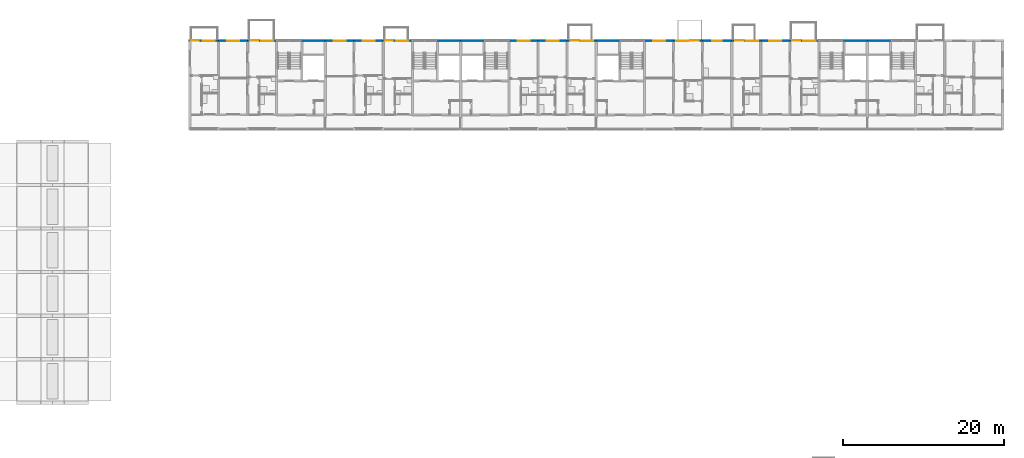
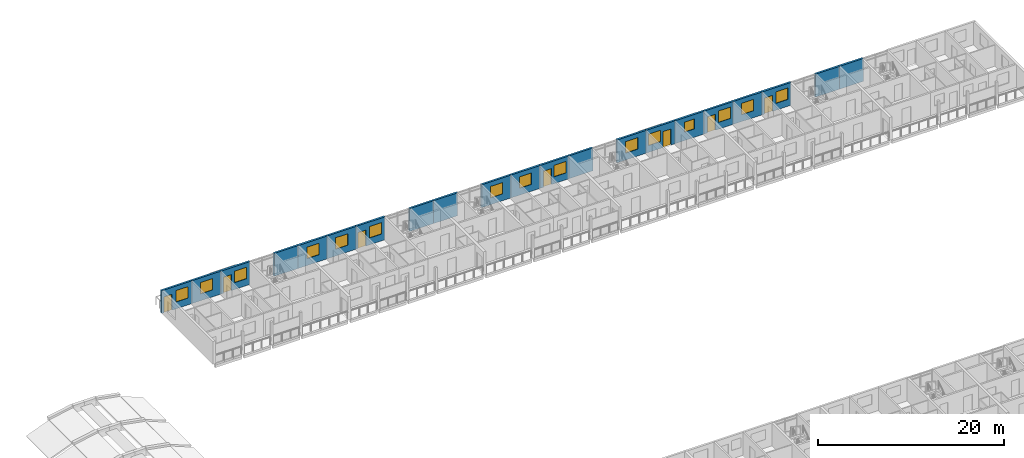
# One storey, part 59 of 93: 21 walls, 15 windows, 7 doors, 22 openings.
"""IFC4 building model written with IfcOpenShell, lengths in metres."""

from ifc_helpers import new_model, si_unit, direction, frame, frame_2d, origin, place, context, subcontext, project, spatial, rectangle, extrude, material, layer, layer_set, type_object, element, fill, save


model = new_model("IFC4")

# Units and contexts
model_context = context("Model", 3, precision=1e-05, world=origin(), true_north=direction((0.0, 1.0)))
body_context = subcontext(model_context, "Body", "Model", "MODEL_VIEW")
ifc_project = project(units=[si_unit("LENGTHUNIT", "METRE"), si_unit("AREAUNIT", "SQUARE_METRE"), si_unit("VOLUMEUNIT", "CUBIC_METRE"), si_unit("PLANEANGLEUNIT", "RADIAN"), si_unit("MASSUNIT", "GRAM", prefix="KILO")], contexts=[model_context])

# Site, building, storey
site_placement = place(None, origin())
site = spatial("IfcSite", under=ifc_project, at=site_placement, CompositionType="ELEMENT")
building_placement = place(site_placement, origin())
building = spatial("IfcBuilding", under=site, at=building_placement, Name="Ridgestep Commons", CompositionType="ELEMENT")
storey_placement = place(building_placement, frame((0.0, 0.0, 18.0)))
storey = spatial("IfcBuildingStorey", under=building, at=storey_placement, Name="L06", CompositionType="ELEMENT", Elevation=18.0)

# Wall, openings, door, window
ifc_material_1 = material(Name="Precast concrete C40/50", Category="concrete")
ifc_layer = layer(ifc_material_1, 0.25)
ifc_layer_set = layer_set([ifc_layer], Name="North facade panel 250")
wall_type = type_object("IfcWallType", Name="North facade panel 250", PredefinedType="SOLIDWALL", material=ifc_layer_set)
wall_1_placement = place(storey_placement, frame((146.64990234375, 77.125, 0.0), z_axis=(0.0, 0.0, 1.0), x_axis=(1.0, 0.0, 0.0)))
wall_1 = element("IfcWall", 1, at=wall_1_placement, inside=storey, type_object=wall_type, Name="North panel C1T1 L06", PredefinedType="SOLIDWALL", context=body_context, shape_type="SweptSolid", body=[
    extrude(rectangle(XDim=3.75, YDim=0.25, at=frame_2d((1.875, 0.0))), origin(), (0.0, 0.0, 1.0), 3.0),
])
opening_1_placement = place(wall_1_placement, frame((1.77490234375, 0.0, 0.89990234375)))
opening_1 = element("IfcOpeningElement", 2, at=opening_1_placement, cuts=wall_1, Name="Opening W16", PredefinedType="OPENING", context=body_context, shape_type="SweptSolid", body=[
    extrude(rectangle(XDim=1.5, YDim=1.5, at=frame_2d((0.75, 0.75))), frame((0.0, 0.135009765625, 0.0), z_axis=(0.0, -1.0, 0.0), x_axis=(1.0, 0.0, 0.0)), (0.0, 0.0, 1.0), 0.27001953125),
])
opening_2_placement = place(wall_1_placement, frame((0.300048828125, 0.0, 0.0)))
opening_2 = element("IfcOpeningElement", 3, at=opening_2_placement, cuts=wall_1, Name="Opening C1-06a/5", PredefinedType="OPENING", context=body_context, shape_type="SweptSolid", body=[
    extrude(rectangle(XDim=1.0, YDim=2.10009765625, at=frame_2d((0.5, 1.050048828125))), frame((0.0, 0.135009765625, 0.0), z_axis=(0.0, -1.0, 0.0), x_axis=(1.0, 0.0, 0.0)), (0.0, 0.0, 1.0), 0.27001953125),
])
ifc_material_2 = material(Name="Aluminium and glass", Category="aluminium")
door_type = type_object("IfcDoorType", Name="Balcony door 1000 x 2100", OperationType="NOTDEFINED", PredefinedType="DOOR", material=ifc_material_2)
door_1_placement = place(opening_2_placement, origin())
door_1 = element("IfcDoor", 4, at=door_1_placement, inside=storey, type_object=door_type, Name="Balcony door C1-06a/5", OperationType="SINGLE_SWING_RIGHT", OverallHeight=2.10009765625, OverallWidth=1.0, PredefinedType="DOOR", context=body_context, shape_type="SweptSolid", body=[
    extrude(rectangle(XDim=1.0, YDim=2.10009765625, at=frame_2d((0.5, 1.050048828125))), frame((0.0, 0.02490234375, 0.0), z_axis=(0.0, -1.0, 0.0), x_axis=(1.0, 0.0, 0.0)), (0.0, 0.0, 1.0), 0.050048828125),
])
fill(opening_2, door_1)
ifc_material_3 = material(Name="Aluminium 6063-T6 and glass", Category="aluminium")
window_type_1 = type_object("IfcWindowType", Name="Flat window 1500 x 1500", PartitioningType="DOUBLE_PANEL_VERTICAL", PredefinedType="WINDOW", material=ifc_material_3)
window_1_placement = place(opening_1_placement, origin())
window_1 = element("IfcWindow", 5, at=window_1_placement, inside=storey, type_object=window_type_1, Name="Window C1-06a 2", OverallHeight=1.5, OverallWidth=1.5, PartitioningType="SINGLE_PANEL", PredefinedType="WINDOW", context=body_context, shape_type="SweptSolid", body=[
    extrude(rectangle(XDim=1.5, YDim=1.5, at=frame_2d((0.75, 0.75))), frame((0.0, -0.02490234375, 0.0), z_axis=(0.0, -1.0, 0.0), x_axis=(1.0, 0.0, 0.0)), (0.0, 0.0, 1.0), 0.06005859375),
])
fill(opening_1, window_1)

# Wall, opening, window
wall_2_placement = place(storey_placement, frame((150.39990234375, 77.125, 0.0), z_axis=(0.0, 0.0, 1.0), x_axis=(1.0, 0.0, 0.0)))
wall_2 = element("IfcWall", 6, at=wall_2_placement, inside=storey, type_object=wall_type, Name="North panel C1T2 L06", PredefinedType="SOLIDWALL", context=body_context, shape_type="SweptSolid", body=[
    extrude(rectangle(XDim=3.60009765625, YDim=0.25, at=frame_2d((1.800048828125, 0.0))), origin(), (0.0, 0.0, 1.0), 3.0),
])
opening_3_placement = place(wall_2_placement, frame((1.050048828125, 0.0, 0.89990234375)))
opening_3 = element("IfcOpeningElement", 7, at=opening_3_placement, cuts=wall_2, Name="Opening W16", PredefinedType="OPENING", context=body_context, shape_type="SweptSolid", body=[
    extrude(rectangle(XDim=1.5, YDim=1.5, at=frame_2d((0.75, 0.75))), frame((0.0, 0.135009765625, 0.0), z_axis=(0.0, -1.0, 0.0), x_axis=(1.0, 0.0, 0.0)), (0.0, 0.0, 1.0), 0.27001953125),
])
window_2_placement = place(opening_3_placement, origin())
window_2 = element("IfcWindow", 8, at=window_2_placement, inside=storey, type_object=window_type_1, Name="Window C1-06b 2", OverallHeight=1.5, OverallWidth=1.5, PartitioningType="SINGLE_PANEL", PredefinedType="WINDOW", context=body_context, shape_type="SweptSolid", body=[
    extrude(rectangle(XDim=1.5, YDim=1.5, at=frame_2d((0.75, 0.75))), frame((0.0, -0.02490234375, 0.0), z_axis=(0.0, -1.0, 0.0), x_axis=(1.0, 0.0, 0.0)), (0.0, 0.0, 1.0), 0.06005859375),
])
fill(opening_3, window_2)

# Wall, openings, door, window
wall_3_placement = place(storey_placement, frame((154.0, 77.125, 0.0), z_axis=(0.0, 0.0, 1.0), x_axis=(1.0, 0.0, 0.0)))
wall_3 = element("IfcWall", 9, at=wall_3_placement, inside=storey, type_object=wall_type, Name="North panel C1T3 L06", PredefinedType="SOLIDWALL", context=body_context, shape_type="SweptSolid", body=[
    extrude(rectangle(XDim=3.60009765625, YDim=0.25, at=frame_2d((1.800048828125, 0.0))), origin(), (0.0, 0.0, 1.0), 3.0),
])
opening_4_placement = place(wall_3_placement, frame((1.6904296875, 0.0, 0.89990234375)))
opening_4 = element("IfcOpeningElement", 10, at=opening_4_placement, cuts=wall_3, Name="Opening W16", PredefinedType="OPENING", context=body_context, shape_type="SweptSolid", body=[
    extrude(rectangle(XDim=1.5, YDim=1.5, at=frame_2d((0.75, 0.75))), frame((0.0, 0.135009765625, 0.0), z_axis=(0.0, -1.0, 0.0), x_axis=(1.0, 0.0, 0.0)), (0.0, 0.0, 1.0), 0.27001953125),
])
opening_5_placement = place(wall_3_placement, frame((0.305908203125, 0.0, 0.0)))
opening_5 = element("IfcOpeningElement", 11, at=opening_5_placement, cuts=wall_3, Name="Opening C1-06b/7", PredefinedType="OPENING", context=body_context, shape_type="SweptSolid", body=[
    extrude(rectangle(XDim=1.0, YDim=2.10009765625, at=frame_2d((0.5, 1.050048828125))), frame((0.0, 0.135009765625, 0.0), z_axis=(0.0, -1.0, 0.0), x_axis=(1.0, 0.0, 0.0)), (0.0, 0.0, 1.0), 0.27001953125),
])
door_2_placement = place(opening_5_placement, origin())
door_2 = element("IfcDoor", 12, at=door_2_placement, inside=storey, type_object=door_type, Name="Balcony door C1-06b/7", OperationType="SINGLE_SWING_RIGHT", OverallHeight=2.10009765625, OverallWidth=1.0, PredefinedType="DOOR", context=body_context, shape_type="SweptSolid", body=[
    extrude(rectangle(XDim=1.0, YDim=2.10009765625, at=frame_2d((0.5, 1.050048828125))), frame((0.0, 0.02490234375, 0.0), z_axis=(0.0, -1.0, 0.0), x_axis=(1.0, 0.0, 0.0)), (0.0, 0.0, 1.0), 0.050048828125),
])
fill(opening_5, door_2)
window_3_placement = place(opening_4_placement, origin())
window_3 = element("IfcWindow", 13, at=window_3_placement, inside=storey, type_object=window_type_1, Name="Window C1-06b 4", OverallHeight=1.5, OverallWidth=1.5, PartitioningType="SINGLE_PANEL", PredefinedType="WINDOW", context=body_context, shape_type="SweptSolid", body=[
    extrude(rectangle(XDim=1.5, YDim=1.5, at=frame_2d((0.75, 0.75))), frame((0.0, -0.02490234375, 0.0), z_axis=(0.0, -1.0, 0.0), x_axis=(1.0, 0.0, 0.0)), (0.0, 0.0, 1.0), 0.06005859375),
])
fill(opening_4, window_3)

# Wall
wall_4_placement = place(storey_placement, frame((160.625, 77.125, 0.0), z_axis=(0.0, 0.0, 1.0), x_axis=(1.0, 0.0, 0.0)))
element("IfcWall", 14, at=wall_4_placement, inside=storey, type_object=wall_type, Name="North panel C1C L06", PredefinedType="SOLIDWALL", context=body_context, shape_type="SweptSolid", body=[
    extrude(rectangle(XDim=2.97509765625, YDim=0.25, at=frame_2d((1.487548828125, 0.0))), origin(), (0.0, 0.0, 1.0), 3.0),
])

# Wall, opening, window
wall_5_placement = place(storey_placement, frame((163.60009765625, 77.125, 0.0), z_axis=(0.0, 0.0, 1.0), x_axis=(1.0, 0.0, 0.0)))
wall_5 = element("IfcWall", 15, at=wall_5_placement, inside=storey, type_object=wall_type, Name="North panel C2T1 L06", PredefinedType="SOLIDWALL", context=body_context, shape_type="SweptSolid", body=[
    extrude(rectangle(XDim=3.599853515625, YDim=0.25, at=frame_2d((1.7998046875, 0.0))), origin(), (0.0, 0.0, 1.0), 3.0),
])
opening_6_placement = place(wall_5_placement, frame((1.074951171875, 0.0, 0.89990234375)))
opening_6 = element("IfcOpeningElement", 16, at=opening_6_placement, cuts=wall_5, Name="Opening W16", PredefinedType="OPENING", context=body_context, shape_type="SweptSolid", body=[
    extrude(rectangle(XDim=1.5, YDim=1.5, at=frame_2d((0.75, 0.75))), frame((0.0, 0.135009765625, 0.0), z_axis=(0.0, -1.0, 0.0), x_axis=(1.0, 0.0, 0.0)), (0.0, 0.0, 1.0), 0.27001953125),
])
window_4_placement = place(opening_6_placement, origin())
window_4 = element("IfcWindow", 17, at=window_4_placement, inside=storey, type_object=window_type_1, Name="Window C2-06a 2", OverallHeight=1.5, OverallWidth=1.5, PartitioningType="SINGLE_PANEL", PredefinedType="WINDOW", context=body_context, shape_type="SweptSolid", body=[
    extrude(rectangle(XDim=1.5, YDim=1.5, at=frame_2d((0.75, 0.75))), frame((0.0, -0.02490234375, 0.0), z_axis=(0.0, -1.0, 0.0), x_axis=(1.0, 0.0, 0.0)), (0.0, 0.0, 1.0), 0.06005859375),
])
fill(opening_6, window_4)

wall_6_placement = place(storey_placement, frame((167.199951171875, 77.125, 0.0), z_axis=(0.0, 0.0, 1.0), x_axis=(1.0, 0.0, 0.0)))
wall_6 = element("IfcWall", 18, at=wall_6_placement, inside=storey, type_object=wall_type, Name="North panel C2T2 L06", PredefinedType="SOLIDWALL", context=body_context, shape_type="SweptSolid", body=[
    extrude(rectangle(XDim=3.60009765625, YDim=0.25, at=frame_2d((1.800048828125, 0.0))), origin(), (0.0, 0.0, 1.0), 3.0),
])
opening_7_placement = place(wall_6_placement, frame((1.050048828125, 0.0, 0.89990234375)))
opening_7 = element("IfcOpeningElement", 19, at=opening_7_placement, cuts=wall_6, Name="Opening W16", PredefinedType="OPENING", context=body_context, shape_type="SweptSolid", body=[
    extrude(rectangle(XDim=1.5, YDim=1.5, at=frame_2d((0.75, 0.75))), frame((0.0, 0.135009765625, 0.0), z_axis=(0.0, -1.0, 0.0), x_axis=(1.0, 0.0, 0.0)), (0.0, 0.0, 1.0), 0.27001953125),
])
window_5_placement = place(opening_7_placement, origin())
window_5 = element("IfcWindow", 20, at=window_5_placement, inside=storey, type_object=window_type_1, Name="Window C2-06a 4", OverallHeight=1.5, OverallWidth=1.5, PartitioningType="SINGLE_PANEL", PredefinedType="WINDOW", context=body_context, shape_type="SweptSolid", body=[
    extrude(rectangle(XDim=1.5, YDim=1.5, at=frame_2d((0.75, 0.75))), frame((0.0, -0.02490234375, 0.0), z_axis=(0.0, -1.0, 0.0), x_axis=(1.0, 0.0, 0.0)), (0.0, 0.0, 1.0), 0.06005859375),
])
fill(opening_7, window_5)

# Wall, openings, door, window
wall_7_placement = place(storey_placement, frame((170.800048828125, 77.125, 0.0), z_axis=(0.0, 0.0, 1.0), x_axis=(1.0, 0.0, 0.0)))
wall_7 = element("IfcWall", 21, at=wall_7_placement, inside=storey, type_object=wall_type, Name="North panel C2T3 L06", PredefinedType="SOLIDWALL", context=body_context, shape_type="SweptSolid", body=[
    extrude(rectangle(XDim=3.599853515625, YDim=0.25, at=frame_2d((1.7998046875, 0.0))), origin(), (0.0, 0.0, 1.0), 3.0),
])
opening_8_placement = place(wall_7_placement, frame((1.632568359375, 0.0, 0.89990234375)))
opening_8 = element("IfcOpeningElement", 22, at=opening_8_placement, cuts=wall_7, Name="Opening W16", PredefinedType="OPENING", context=body_context, shape_type="SweptSolid", body=[
    extrude(rectangle(XDim=1.5, YDim=1.5, at=frame_2d((0.75, 0.75))), frame((0.0, 0.135009765625, 0.0), z_axis=(0.0, -1.0, 0.0), x_axis=(1.0, 0.0, 0.0)), (0.0, 0.0, 1.0), 0.27001953125),
])
opening_9_placement = place(wall_7_placement, frame((0.18994140625, 0.0, 0.0)))
opening_9 = element("IfcOpeningElement", 23, at=opening_9_placement, cuts=wall_7, Name="Opening C2-06b/5", PredefinedType="OPENING", context=body_context, shape_type="SweptSolid", body=[
    extrude(rectangle(XDim=1.0, YDim=2.10009765625, at=frame_2d((0.5, 1.050048828125))), frame((0.0, 0.135009765625, 0.0), z_axis=(0.0, -1.0, 0.0), x_axis=(1.0, 0.0, 0.0)), (0.0, 0.0, 1.0), 0.27001953125),
])
door_3_placement = place(opening_9_placement, origin())
door_3 = element("IfcDoor", 24, at=door_3_placement, inside=storey, type_object=door_type, Name="Balcony door C2-06b/5", OperationType="SINGLE_SWING_RIGHT", OverallHeight=2.10009765625, OverallWidth=1.0, PredefinedType="DOOR", context=body_context, shape_type="SweptSolid", body=[
    extrude(rectangle(XDim=1.0, YDim=2.10009765625, at=frame_2d((0.5, 1.050048828125))), frame((0.0, 0.02490234375, 0.0), z_axis=(0.0, -1.0, 0.0), x_axis=(1.0, 0.0, 0.0)), (0.0, 0.0, 1.0), 0.050048828125),
])
fill(opening_9, door_3)
window_6_placement = place(opening_8_placement, origin())
window_6 = element("IfcWindow", 25, at=window_6_placement, inside=storey, type_object=window_type_1, Name="Window C2-06b 2", OverallHeight=1.5, OverallWidth=1.5, PartitioningType="SINGLE_PANEL", PredefinedType="WINDOW", context=body_context, shape_type="SweptSolid", body=[
    extrude(rectangle(XDim=1.5, YDim=1.5, at=frame_2d((0.75, 0.75))), frame((0.0, -0.02490234375, 0.0), z_axis=(0.0, -1.0, 0.0), x_axis=(1.0, 0.0, 0.0)), (0.0, 0.0, 1.0), 0.06005859375),
])
fill(opening_8, window_6)

# Walls
wall_8_placement = place(storey_placement, frame((177.425048828125, 77.125, 0.0), z_axis=(0.0, 0.0, 1.0), x_axis=(1.0, 0.0, 0.0)))
element("IfcWall", 26, at=wall_8_placement, inside=storey, type_object=wall_type, Name="North panel C2C L06", PredefinedType="SOLIDWALL", context=body_context, shape_type="SweptSolid", body=[
    extrude(rectangle(XDim=2.974853515625, YDim=0.25, at=frame_2d((1.4873046875, 0.0))), origin(), (0.0, 0.0, 1.0), 3.0),
])
wall_9_placement = place(storey_placement, frame((180.39990234375, 77.125, 0.0), z_axis=(0.0, 0.0, 1.0), x_axis=(1.0, 0.0, 0.0)))
element("IfcWall", 27, at=wall_9_placement, inside=storey, type_object=wall_type, Name="North panel C3C L06", PredefinedType="SOLIDWALL", context=body_context, shape_type="SweptSolid", body=[
    extrude(rectangle(XDim=2.97509765625, YDim=0.25, at=frame_2d((1.487548828125, 0.0))), origin(), (0.0, 0.0, 1.0), 3.0),
])

# Wall, opening, window
wall_10_placement = place(storey_placement, frame((186.39990234375, 77.125, 0.0), z_axis=(0.0, 0.0, 1.0), x_axis=(1.0, 0.0, 0.0)))
wall_10 = element("IfcWall", 28, at=wall_10_placement, inside=storey, type_object=wall_type, Name="North panel C3T3 L06", PredefinedType="SOLIDWALL", context=body_context, shape_type="SweptSolid", body=[
    extrude(rectangle(XDim=3.60009765625, YDim=0.25, at=frame_2d((1.800048828125, 0.0))), origin(), (0.0, 0.0, 1.0), 3.0),
])
opening_10_placement = place(wall_10_placement, frame((1.0625, 0.0, 0.89990234375)))
opening_10 = element("IfcOpeningElement", 29, at=opening_10_placement, cuts=wall_10, Name="Opening W16", PredefinedType="OPENING", context=body_context, shape_type="SweptSolid", body=[
    extrude(rectangle(XDim=1.5, YDim=1.5, at=frame_2d((0.75, 0.75))), frame((0.0, 0.135009765625, 0.0), z_axis=(0.0, -1.0, 0.0), x_axis=(1.0, 0.0, 0.0)), (0.0, 0.0, 1.0), 0.27001953125),
])
window_7_placement = place(opening_10_placement, origin())
window_7 = element("IfcWindow", 30, at=window_7_placement, inside=storey, type_object=window_type_1, Name="Window C3-06c 2", OverallHeight=1.5, OverallWidth=1.5, PartitioningType="SINGLE_PANEL", PredefinedType="WINDOW", context=body_context, shape_type="SweptSolid", body=[
    extrude(rectangle(XDim=1.5, YDim=1.5, at=frame_2d((0.75, 0.75))), frame((0.0, -0.02490234375, 0.0), z_axis=(0.0, -1.0, 0.0), x_axis=(1.0, 0.0, 0.0)), (0.0, 0.0, 1.0), 0.06005859375),
])
fill(opening_10, window_7)

wall_11_placement = place(storey_placement, frame((190.0, 77.125, 0.0), z_axis=(0.0, 0.0, 1.0), x_axis=(1.0, 0.0, 0.0)))
wall_11 = element("IfcWall", 31, at=wall_11_placement, inside=storey, type_object=wall_type, Name="North panel C3T2 L06", PredefinedType="SOLIDWALL", context=body_context, shape_type="SweptSolid", body=[
    extrude(rectangle(XDim=3.60009765625, YDim=0.25, at=frame_2d((1.800048828125, 0.0))), origin(), (0.0, 0.0, 1.0), 3.0),
])
opening_11_placement = place(wall_11_placement, frame((1.050048828125, 0.0, 0.89990234375)))
opening_11 = element("IfcOpeningElement", 32, at=opening_11_placement, cuts=wall_11, Name="Opening W16", PredefinedType="OPENING", context=body_context, shape_type="SweptSolid", body=[
    extrude(rectangle(XDim=1.5, YDim=1.5, at=frame_2d((0.75, 0.75))), frame((0.0, 0.135009765625, 0.0), z_axis=(0.0, -1.0, 0.0), x_axis=(1.0, 0.0, 0.0)), (0.0, 0.0, 1.0), 0.27001953125),
])
window_8_placement = place(opening_11_placement, origin())
window_8 = element("IfcWindow", 33, at=window_8_placement, inside=storey, type_object=window_type_1, Name="Window C3-06b 2", OverallHeight=1.5, OverallWidth=1.5, PartitioningType="SINGLE_PANEL", PredefinedType="WINDOW", context=body_context, shape_type="SweptSolid", body=[
    extrude(rectangle(XDim=1.5, YDim=1.5, at=frame_2d((0.75, 0.75))), frame((0.0, -0.02490234375, 0.0), z_axis=(0.0, -1.0, 0.0), x_axis=(1.0, 0.0, 0.0)), (0.0, 0.0, 1.0), 0.06005859375),
])
fill(opening_11, window_8)

# Wall, openings, door, window
wall_12_placement = place(storey_placement, frame((193.60009765625, 77.125, 0.0), z_axis=(0.0, 0.0, 1.0), x_axis=(1.0, 0.0, 0.0)))
wall_12 = element("IfcWall", 34, at=wall_12_placement, inside=storey, type_object=wall_type, Name="North panel C3T1 L06", PredefinedType="SOLIDWALL", context=body_context, shape_type="SweptSolid", body=[
    extrude(rectangle(XDim=3.599853515625, YDim=0.25, at=frame_2d((1.7998046875, 0.0))), origin(), (0.0, 0.0, 1.0), 3.0),
])
opening_12_placement = place(wall_12_placement, frame((1.758056640625, 0.0, 0.89990234375)))
opening_12 = element("IfcOpeningElement", 35, at=opening_12_placement, cuts=wall_12, Name="Opening W16", PredefinedType="OPENING", context=body_context, shape_type="SweptSolid", body=[
    extrude(rectangle(XDim=1.5, YDim=1.5, at=frame_2d((0.75, 0.75))), frame((0.0, 0.135009765625, 0.0), z_axis=(0.0, -1.0, 0.0), x_axis=(1.0, 0.0, 0.0)), (0.0, 0.0, 1.0), 0.27001953125),
])
opening_13_placement = place(wall_12_placement, frame((0.466064453125, 0.0, 0.0)))
opening_13 = element("IfcOpeningElement", 36, at=opening_13_placement, cuts=wall_12, Name="Opening C3-06a/5", PredefinedType="OPENING", context=body_context, shape_type="SweptSolid", body=[
    extrude(rectangle(XDim=1.0, YDim=2.10009765625, at=frame_2d((0.5, 1.050048828125))), frame((0.0, 0.135009765625, 0.0), z_axis=(0.0, -1.0, 0.0), x_axis=(1.0, 0.0, 0.0)), (0.0, 0.0, 1.0), 0.27001953125),
])
door_4_placement = place(opening_13_placement, origin())
door_4 = element("IfcDoor", 37, at=door_4_placement, inside=storey, type_object=door_type, Name="Balcony door C3-06a/5", OperationType="SINGLE_SWING_RIGHT", OverallHeight=2.10009765625, OverallWidth=1.0, PredefinedType="DOOR", context=body_context, shape_type="SweptSolid", body=[
    extrude(rectangle(XDim=1.0, YDim=2.10009765625, at=frame_2d((0.5, 1.050048828125))), frame((0.0, 0.02490234375, 0.0), z_axis=(0.0, -1.0, 0.0), x_axis=(1.0, 0.0, 0.0)), (0.0, 0.0, 1.0), 0.050048828125),
])
fill(opening_13, door_4)
window_9_placement = place(opening_12_placement, origin())
window_9 = element("IfcWindow", 38, at=window_9_placement, inside=storey, type_object=window_type_1, Name="Window C3-06a 2", OverallHeight=1.5, OverallWidth=1.5, PartitioningType="SINGLE_PANEL", PredefinedType="WINDOW", context=body_context, shape_type="SweptSolid", body=[
    extrude(rectangle(XDim=1.5, YDim=1.5, at=frame_2d((0.75, 0.75))), frame((0.0, -0.02490234375, 0.0), z_axis=(0.0, -1.0, 0.0), x_axis=(1.0, 0.0, 0.0)), (0.0, 0.0, 1.0), 0.06005859375),
])
fill(opening_12, window_9)

# Wall
wall_13_placement = place(storey_placement, frame((197.199951171875, 77.125, 0.0), z_axis=(0.0, 0.0, 1.0), x_axis=(1.0, 0.0, 0.0)))
element("IfcWall", 39, at=wall_13_placement, inside=storey, type_object=wall_type, Name="North panel C4C L06", PredefinedType="SOLIDWALL", context=body_context, shape_type="SweptSolid", body=[
    extrude(rectangle(XDim=2.97509765625, YDim=0.25, at=frame_2d((1.487548828125, 0.0))), origin(), (0.0, 0.0, 1.0), 3.0),
])

# Wall, opening, window
wall_14_placement = place(storey_placement, frame((203.199951171875, 77.125, 0.0), z_axis=(0.0, 0.0, 1.0), x_axis=(1.0, 0.0, 0.0)))
wall_14 = element("IfcWall", 40, at=wall_14_placement, inside=storey, type_object=wall_type, Name="North panel C4T3 L06", PredefinedType="SOLIDWALL", context=body_context, shape_type="SweptSolid", body=[
    extrude(rectangle(XDim=3.60009765625, YDim=0.25, at=frame_2d((1.800048828125, 0.0))), origin(), (0.0, 0.0, 1.0), 3.0),
])
opening_14_placement = place(wall_14_placement, frame((1.0625, 0.0, 0.89990234375)))
opening_14 = element("IfcOpeningElement", 41, at=opening_14_placement, cuts=wall_14, Name="Opening W16", PredefinedType="OPENING", context=body_context, shape_type="SweptSolid", body=[
    extrude(rectangle(XDim=1.5, YDim=1.5, at=frame_2d((0.75, 0.75))), frame((0.0, 0.135009765625, 0.0), z_axis=(0.0, -1.0, 0.0), x_axis=(1.0, 0.0, 0.0)), (0.0, 0.0, 1.0), 0.27001953125),
])
window_10_placement = place(opening_14_placement, origin())
window_10 = element("IfcWindow", 42, at=window_10_placement, inside=storey, type_object=window_type_1, Name="Window C4-06a 2", OverallHeight=1.5, OverallWidth=1.5, PartitioningType="SINGLE_PANEL", PredefinedType="WINDOW", context=body_context, shape_type="SweptSolid", body=[
    extrude(rectangle(XDim=1.5, YDim=1.5, at=frame_2d((0.75, 0.75))), frame((0.0, -0.02490234375, 0.0), z_axis=(0.0, -1.0, 0.0), x_axis=(1.0, 0.0, 0.0)), (0.0, 0.0, 1.0), 0.06005859375),
])
fill(opening_14, window_10)

# Wall, openings, door, window
wall_15_placement = place(storey_placement, frame((206.800048828125, 77.125, 0.0), z_axis=(0.0, 0.0, 1.0), x_axis=(1.0, 0.0, 0.0)))
wall_15 = element("IfcWall", 43, at=wall_15_placement, inside=storey, type_object=wall_type, Name="North panel C4T2 L06", PredefinedType="SOLIDWALL", context=body_context, shape_type="SweptSolid", body=[
    extrude(rectangle(XDim=3.599853515625, YDim=0.25, at=frame_2d((1.7998046875, 0.0))), origin(), (0.0, 0.0, 1.0), 3.0),
])
opening_15_placement = place(wall_15_placement, frame((0.29248046875, 0.0, 0.89990234375)))
opening_15 = element("IfcOpeningElement", 44, at=opening_15_placement, cuts=wall_15, Name="Opening W16", PredefinedType="OPENING", context=body_context, shape_type="SweptSolid", body=[
    extrude(rectangle(XDim=1.5, YDim=1.5, at=frame_2d((0.75, 0.75))), frame((0.0, 0.135009765625, 0.0), z_axis=(0.0, -1.0, 0.0), x_axis=(1.0, 0.0, 0.0)), (0.0, 0.0, 1.0), 0.27001953125),
])
opening_16_placement = place(wall_15_placement, frame((2.0849609375, 0.0, 0.0)))
opening_16 = element("IfcOpeningElement", 45, at=opening_16_placement, cuts=wall_15, Name="Opening C4-06a/8", PredefinedType="OPENING", context=body_context, shape_type="SweptSolid", body=[
    extrude(rectangle(XDim=1.0, YDim=2.10009765625, at=frame_2d((0.5, 1.050048828125))), frame((0.0, 0.135009765625, 0.0), z_axis=(0.0, -1.0, 0.0), x_axis=(1.0, 0.0, 0.0)), (0.0, 0.0, 1.0), 0.27001953125),
])
door_5_placement = place(opening_16_placement, origin())
door_5 = element("IfcDoor", 46, at=door_5_placement, inside=storey, type_object=door_type, Name="Balcony door C4-06a/8", OperationType="SINGLE_SWING_LEFT", OverallHeight=2.10009765625, OverallWidth=1.0, PredefinedType="DOOR", context=body_context, shape_type="SweptSolid", body=[
    extrude(rectangle(XDim=1.0, YDim=2.10009765625, at=frame_2d((0.5, 1.050048828125))), frame((0.0, 0.02490234375, 0.0), z_axis=(0.0, -1.0, 0.0), x_axis=(1.0, 0.0, 0.0)), (0.0, 0.0, 1.0), 0.050048828125),
])
fill(opening_16, door_5)
window_11_placement = place(opening_15_placement, origin())
window_11 = element("IfcWindow", 47, at=window_11_placement, inside=storey, type_object=window_type_1, Name="Window C4-06a 5", OverallHeight=1.5, OverallWidth=1.5, PartitioningType="SINGLE_PANEL", PredefinedType="WINDOW", context=body_context, shape_type="SweptSolid", body=[
    extrude(rectangle(XDim=1.5, YDim=1.5, at=frame_2d((0.75, 0.75))), frame((0.0, -0.02490234375, 0.0), z_axis=(0.0, -1.0, 0.0), x_axis=(1.0, 0.0, 0.0)), (0.0, 0.0, 1.0), 0.06005859375),
])
fill(opening_15, window_11)

# Wall, opening, window
wall_16_placement = place(storey_placement, frame((210.39990234375, 77.125, 0.0), z_axis=(0.0, 0.0, 1.0), x_axis=(1.0, 0.0, 0.0)))
wall_16 = element("IfcWall", 48, at=wall_16_placement, inside=storey, type_object=wall_type, Name="North panel C4T1 L06", PredefinedType="SOLIDWALL", context=body_context, shape_type="SweptSolid", body=[
    extrude(rectangle(XDim=3.60009765625, YDim=0.25, at=frame_2d((1.800048828125, 0.0))), origin(), (0.0, 0.0, 1.0), 3.0),
])
opening_17_placement = place(wall_16_placement, frame((1.175048828125, 0.0, 1.10009765625)))
opening_17 = element("IfcOpeningElement", 49, at=opening_17_placement, cuts=wall_16, Name="Opening W08", PredefinedType="OPENING", context=body_context, shape_type="SweptSolid", body=[
    extrude(rectangle(XDim=1.199951171875, YDim=1.300048828125, at=frame_2d((0.60009765625, 0.64990234375))), frame((0.0, 0.135009765625, 0.0), z_axis=(0.0, -1.0, 0.0), x_axis=(1.0, 0.0, 0.0)), (0.0, 0.0, 1.0), 0.27001953125),
])
ifc_material_4 = material(Name="Aluminium 6063-T6 and glass", Category="aluminium")
window_type_2 = type_object("IfcWindowType", Name="Flat window 1200 x 1300", PartitioningType="SINGLE_PANEL", PredefinedType="WINDOW", material=ifc_material_4)
window_12_placement = place(opening_17_placement, origin())
window_12 = element("IfcWindow", 50, at=window_12_placement, inside=storey, type_object=window_type_2, Name="Window C4-06a 4", OverallHeight=1.300048828125, OverallWidth=1.199951171875, PartitioningType="SINGLE_PANEL", PredefinedType="WINDOW", context=body_context, shape_type="SweptSolid", body=[
    extrude(rectangle(XDim=1.199951171875, YDim=1.300048828125, at=frame_2d((0.60009765625, 0.64990234375))), frame((0.0, -0.02490234375, 0.0), z_axis=(0.0, -1.0, 0.0), x_axis=(1.0, 0.0, 0.0)), (0.0, 0.0, 1.0), 0.06005859375),
])
fill(opening_17, window_12)

# Wall, openings, door, window
wall_17_placement = place(storey_placement, frame((214.0, 77.125, 0.0), z_axis=(0.0, 0.0, 1.0), x_axis=(1.0, 0.0, 0.0)))
wall_17 = element("IfcWall", 51, at=wall_17_placement, inside=storey, type_object=wall_type, Name="North panel C5T1 L06", PredefinedType="SOLIDWALL", context=body_context, shape_type="SweptSolid", body=[
    extrude(rectangle(XDim=3.60009765625, YDim=0.25, at=frame_2d((1.800048828125, 0.0))), origin(), (0.0, 0.0, 1.0), 3.0),
])
opening_18_placement = place(wall_17_placement, frame((1.765380859375, 0.0, 0.89990234375)))
opening_18 = element("IfcOpeningElement", 52, at=opening_18_placement, cuts=wall_17, Name="Opening W16", PredefinedType="OPENING", context=body_context, shape_type="SweptSolid", body=[
    extrude(rectangle(XDim=1.5, YDim=1.5, at=frame_2d((0.75, 0.75))), frame((0.0, 0.135009765625, 0.0), z_axis=(0.0, -1.0, 0.0), x_axis=(1.0, 0.0, 0.0)), (0.0, 0.0, 1.0), 0.27001953125),
])
opening_19_placement = place(wall_17_placement, frame((0.430908203125, 0.0, 0.0)))
opening_19 = element("IfcOpeningElement", 53, at=opening_19_placement, cuts=wall_17, Name="Opening C5-06a/5", PredefinedType="OPENING", context=body_context, shape_type="SweptSolid", body=[
    extrude(rectangle(XDim=1.0, YDim=2.10009765625, at=frame_2d((0.5, 1.050048828125))), frame((0.0, 0.135009765625, 0.0), z_axis=(0.0, -1.0, 0.0), x_axis=(1.0, 0.0, 0.0)), (0.0, 0.0, 1.0), 0.27001953125),
])
door_6_placement = place(opening_19_placement, origin())
door_6 = element("IfcDoor", 54, at=door_6_placement, inside=storey, type_object=door_type, Name="Balcony door C5-06a/5", OperationType="SINGLE_SWING_RIGHT", OverallHeight=2.10009765625, OverallWidth=1.0, PredefinedType="DOOR", context=body_context, shape_type="SweptSolid", body=[
    extrude(rectangle(XDim=1.0, YDim=2.10009765625, at=frame_2d((0.5, 1.050048828125))), frame((0.0, 0.02490234375, 0.0), z_axis=(0.0, -1.0, 0.0), x_axis=(1.0, 0.0, 0.0)), (0.0, 0.0, 1.0), 0.050048828125),
])
fill(opening_19, door_6)
window_13_placement = place(opening_18_placement, origin())
window_13 = element("IfcWindow", 55, at=window_13_placement, inside=storey, type_object=window_type_1, Name="Window C5-06a 2", OverallHeight=1.5, OverallWidth=1.5, PartitioningType="SINGLE_PANEL", PredefinedType="WINDOW", context=body_context, shape_type="SweptSolid", body=[
    extrude(rectangle(XDim=1.5, YDim=1.5, at=frame_2d((0.75, 0.75))), frame((0.0, -0.02490234375, 0.0), z_axis=(0.0, -1.0, 0.0), x_axis=(1.0, 0.0, 0.0)), (0.0, 0.0, 1.0), 0.06005859375),
])
fill(opening_18, window_13)

# Wall, opening, window
wall_18_placement = place(storey_placement, frame((217.60009765625, 77.125, 0.0), z_axis=(0.0, 0.0, 1.0), x_axis=(1.0, 0.0, 0.0)))
wall_18 = element("IfcWall", 56, at=wall_18_placement, inside=storey, type_object=wall_type, Name="North panel C5T2 L06", PredefinedType="SOLIDWALL", context=body_context, shape_type="SweptSolid", body=[
    extrude(rectangle(XDim=3.599853515625, YDim=0.25, at=frame_2d((1.7998046875, 0.0))), origin(), (0.0, 0.0, 1.0), 3.0),
])
opening_20_placement = place(wall_18_placement, frame((1.050048828125, 0.0, 0.89990234375)))
opening_20 = element("IfcOpeningElement", 57, at=opening_20_placement, cuts=wall_18, Name="Opening W16", PredefinedType="OPENING", context=body_context, shape_type="SweptSolid", body=[
    extrude(rectangle(XDim=1.5, YDim=1.5, at=frame_2d((0.75, 0.75))), frame((0.0, 0.135009765625, 0.0), z_axis=(0.0, -1.0, 0.0), x_axis=(1.0, 0.0, 0.0)), (0.0, 0.0, 1.0), 0.27001953125),
])
window_14_placement = place(opening_20_placement, origin())
window_14 = element("IfcWindow", 58, at=window_14_placement, inside=storey, type_object=window_type_1, Name="Window C5-06b 2", OverallHeight=1.5, OverallWidth=1.5, PartitioningType="SINGLE_PANEL", PredefinedType="WINDOW", context=body_context, shape_type="SweptSolid", body=[
    extrude(rectangle(XDim=1.5, YDim=1.5, at=frame_2d((0.75, 0.75))), frame((0.0, -0.02490234375, 0.0), z_axis=(0.0, -1.0, 0.0), x_axis=(1.0, 0.0, 0.0)), (0.0, 0.0, 1.0), 0.06005859375),
])
fill(opening_20, window_14)

# Wall, openings, door, window
wall_19_placement = place(storey_placement, frame((221.199951171875, 77.125, 0.0), z_axis=(0.0, 0.0, 1.0), x_axis=(1.0, 0.0, 0.0)))
wall_19 = element("IfcWall", 59, at=wall_19_placement, inside=storey, type_object=wall_type, Name="North panel C5T3 L06", PredefinedType="SOLIDWALL", context=body_context, shape_type="SweptSolid", body=[
    extrude(rectangle(XDim=3.60009765625, YDim=0.25, at=frame_2d((1.800048828125, 0.0))), origin(), (0.0, 0.0, 1.0), 3.0),
])
opening_21_placement = place(wall_19_placement, frame((1.693603515625, 0.0, 0.89990234375)))
opening_21 = element("IfcOpeningElement", 60, at=opening_21_placement, cuts=wall_19, Name="Opening W16", PredefinedType="OPENING", context=body_context, shape_type="SweptSolid", body=[
    extrude(rectangle(XDim=1.5, YDim=1.5, at=frame_2d((0.75, 0.75))), frame((0.0, 0.135009765625, 0.0), z_axis=(0.0, -1.0, 0.0), x_axis=(1.0, 0.0, 0.0)), (0.0, 0.0, 1.0), 0.27001953125),
])
opening_22_placement = place(wall_19_placement, frame((0.31201171875, 0.0, 0.0)))
opening_22 = element("IfcOpeningElement", 61, at=opening_22_placement, cuts=wall_19, Name="Opening C5-06b/7", PredefinedType="OPENING", context=body_context, shape_type="SweptSolid", body=[
    extrude(rectangle(XDim=1.0, YDim=2.10009765625, at=frame_2d((0.5, 1.050048828125))), frame((0.0, 0.135009765625, 0.0), z_axis=(0.0, -1.0, 0.0), x_axis=(1.0, 0.0, 0.0)), (0.0, 0.0, 1.0), 0.27001953125),
])
door_7_placement = place(opening_22_placement, origin())
door_7 = element("IfcDoor", 62, at=door_7_placement, inside=storey, type_object=door_type, Name="Balcony door C5-06b/7", OperationType="SINGLE_SWING_RIGHT", OverallHeight=2.10009765625, OverallWidth=1.0, PredefinedType="DOOR", context=body_context, shape_type="SweptSolid", body=[
    extrude(rectangle(XDim=1.0, YDim=2.10009765625, at=frame_2d((0.5, 1.050048828125))), frame((0.0, 0.02490234375, 0.0), z_axis=(0.0, -1.0, 0.0), x_axis=(1.0, 0.0, 0.0)), (0.0, 0.0, 1.0), 0.050048828125),
])
fill(opening_22, door_7)
window_15_placement = place(opening_21_placement, origin())
window_15 = element("IfcWindow", 63, at=window_15_placement, inside=storey, type_object=window_type_1, Name="Window C5-06b 4", OverallHeight=1.5, OverallWidth=1.5, PartitioningType="SINGLE_PANEL", PredefinedType="WINDOW", context=body_context, shape_type="SweptSolid", body=[
    extrude(rectangle(XDim=1.5, YDim=1.5, at=frame_2d((0.75, 0.75))), frame((0.0, -0.02490234375, 0.0), z_axis=(0.0, -1.0, 0.0), x_axis=(1.0, 0.0, 0.0)), (0.0, 0.0, 1.0), 0.06005859375),
])
fill(opening_21, window_15)

# Walls
wall_20_placement = place(storey_placement, frame((227.824951171875, 77.125, 0.0), z_axis=(0.0, 0.0, 1.0), x_axis=(1.0, 0.0, 0.0)))
element("IfcWall", 64, at=wall_20_placement, inside=storey, type_object=wall_type, Name="North panel C5C L06", PredefinedType="SOLIDWALL", context=body_context, shape_type="SweptSolid", body=[
    extrude(rectangle(XDim=2.97509765625, YDim=0.25, at=frame_2d((1.487548828125, 0.0))), origin(), (0.0, 0.0, 1.0), 3.0),
])
wall_21_placement = place(storey_placement, frame((230.800048828125, 77.125, 0.0), z_axis=(0.0, 0.0, 1.0), x_axis=(1.0, 0.0, 0.0)))
element("IfcWall", 65, at=wall_21_placement, inside=storey, type_object=wall_type, Name="North panel C6C L06", PredefinedType="SOLIDWALL", context=body_context, shape_type="SweptSolid", body=[
    extrude(rectangle(XDim=2.974853515625, YDim=0.25, at=frame_2d((1.4873046875, 0.0))), origin(), (0.0, 0.0, 1.0), 3.0),
])

save(model, "model.ifc")
